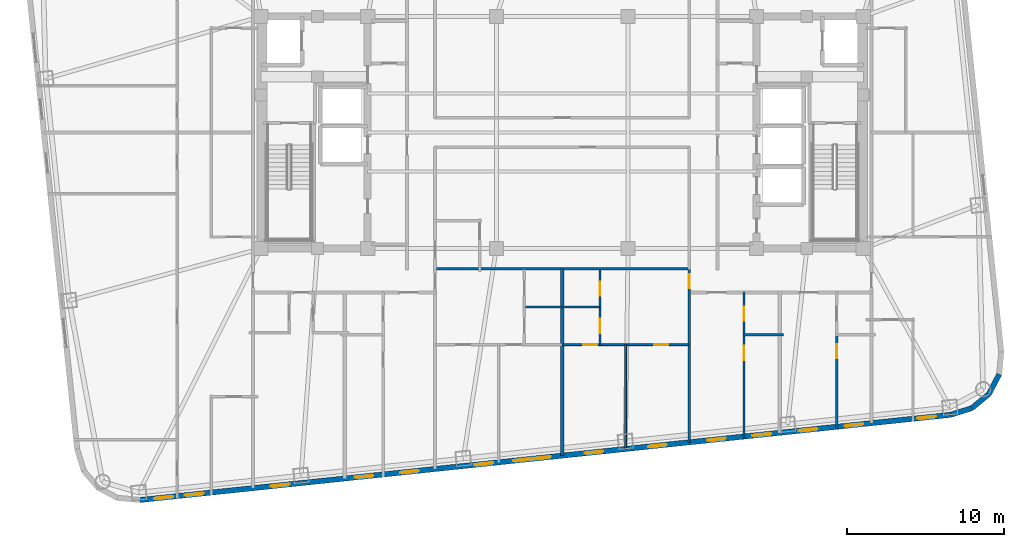
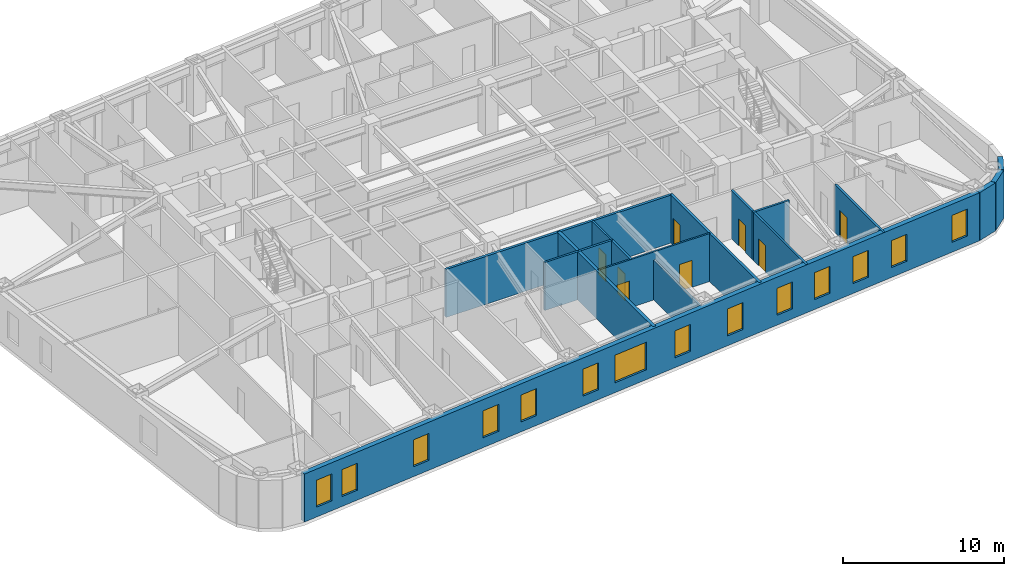
# One storey, part 5 of 12: 17 walls, 14 windows, 8 doors, 22 openings.
"""IFC4 building model written with IfcOpenShell, lengths in metres."""

import ifcopenshell
import ifcopenshell.guid

model = None  # the IFC model being written
_history = None  # IfcOwnerHistory: only IFC2X3 demands one
_inside = {}  # id of a spatial element -> (the spatial element, [elements in it])
_under = {}  # id of a project, library or spatial element -> (it, [spatial elements below it])
_declared = {}  # id of a project -> (the project, [libraries it declares])
_typed = {}  # id of a type object -> (the type object, [elements of that type])
_made_of = {}  # id of a material, layer set ... -> (it, [elements and type objects made of it])


def new_model(schema):
    """Start an empty IFC model of exactly this schema.

    Asked for "IFC4X3", IfcOpenShell would pick the latest addendum, in which some entities
    have other attributes; the version numbers below select the first issue.
    IFC2X3 requires an IfcOwnerHistory on every rooted entity: one is made here for all.
    """
    global model, _history
    if schema == "IFC4X3":
        model = ifcopenshell.file(schema_version=(4, 3, 0, 0))
    else:
        model = ifcopenshell.file(schema=schema)
    _inside.clear()
    _under.clear()
    _declared.clear()
    _typed.clear()
    _made_of.clear()
    _history = None
    if model.schema == "IFC2X3":
        org = make("IfcOrganization", Name="unknown")
        user = make(
            "IfcPersonAndOrganization",
            ThePerson=make("IfcPerson", FamilyName="unknown"),
            TheOrganization=org,
        )
        app = make(
            "IfcApplication",
            ApplicationDeveloper=org,
            Version="unknown",
            ApplicationFullName="unknown",
            ApplicationIdentifier="unknown",
        )
        _history = make(
            "IfcOwnerHistory",
            OwningUser=user,
            OwningApplication=app,
            ChangeAction="ADDED",
            CreationDate=0,
        )
    return model


def make(cls, **values):
    """One entity of the class cls with the attributes given. An attribute that is None is left unset."""
    return model.create_entity(
        cls, **{name: value for name, value in values.items() if value is not None}
    )


def rooted(cls, **values):
    """An entity with a GlobalId (a new one), such as an element, a storey or a relation."""
    return make(cls, GlobalId=ifcopenshell.guid.new(), OwnerHistory=_history, **values)


def si_unit(unit_type, name, prefix=None):
    """IfcSIUnit, for example si_unit("LENGTHUNIT", "METRE", prefix="MILLI")."""
    return make("IfcSIUnit", UnitType=unit_type, Prefix=prefix, Name=name)


def assignment(units):
    """IfcUnitAssignment: the units of a project."""
    return None if units is None else make("IfcUnitAssignment", Units=units)


def point(xyz):
    """IfcCartesianPoint."""
    return None if xyz is None else make("IfcCartesianPoint", Coordinates=xyz)


def direction(xyz):
    """IfcDirection."""
    return None if xyz is None else make("IfcDirection", DirectionRatios=xyz)


def frame(location, z_axis=None, x_axis=None):
    """IfcAxis2Placement3D, a coordinate frame: its origin and axes. An axis left out is left unset."""
    return make(
        "IfcAxis2Placement3D",
        Location=point(location),
        Axis=direction(z_axis),
        RefDirection=direction(x_axis),
    )


def frame_2d(location, x_axis=None):
    """IfcAxis2Placement2D, a coordinate frame in the plane: its origin and x axis."""
    return make(
        "IfcAxis2Placement2D", Location=point(location), RefDirection=direction(x_axis)
    )


def origin():
    """The frame at (0, 0, 0) with its axes left unset."""
    return frame((0.0, 0.0, 0.0))


def place(relative_to, where):
    """IfcLocalPlacement: puts the frame where relative to a parent placement (None: the world)."""
    return make(
        "IfcLocalPlacement", PlacementRelTo=relative_to, RelativePlacement=where
    )


def context(
    kind, dimensions, precision=None, world=None, true_north=None, identifier=None
):
    """IfcGeometricRepresentationContext, for example the 3D "Model" context."""
    return make(
        "IfcGeometricRepresentationContext",
        ContextIdentifier=identifier,
        ContextType=kind,
        CoordinateSpaceDimension=dimensions,
        Precision=precision,
        WorldCoordinateSystem=world,
        TrueNorth=true_north,
    )


def subcontext(parent, identifier, kind, view, scale=None):
    """IfcGeometricRepresentationSubContext, for example "Body" below "Model"."""
    return make(
        "IfcGeometricRepresentationSubContext",
        ContextIdentifier=identifier,
        ContextType=kind,
        ParentContext=parent,
        TargetScale=scale,
        TargetView=view,
    )


def project(units=None, contexts=None):
    """IfcProject with its units and contexts."""
    return rooted(
        "IfcProject",
        Name="project",
        RepresentationContexts=contexts,
        UnitsInContext=assignment(units),
    )


def spatial(cls, under=None, at=None, **own):
    """A site, building, storey or space (cls), placed at a placement, below another one or the project."""
    s = rooted(cls, ObjectPlacement=at, **own)
    if under is not None:
        _under.setdefault(under.id(), (under, []))[1].append(s)
    return s


def profile(cls, at=None, kind="AREA", **sizes):
    """A parametric profile (cls). Its sizes go by their IFC names, for example OverallWidth=200.0."""
    return make(cls, ProfileType=kind, Position=at, **sizes)


def rectangle(**sizes):
    """IfcRectangleProfileDef."""
    return profile("IfcRectangleProfileDef", **sizes)


def extrude(swept, where, along, depth):
    """IfcExtrudedAreaSolid: the profile swept, set in the frame where, extruded along a direction by depth."""
    return make(
        "IfcExtrudedAreaSolid",
        SweptArea=swept,
        Position=where,
        ExtrudedDirection=direction(along),
        Depth=depth,
    )


def shape(context_of_items, identifier, shape_type, items):
    """IfcShapeRepresentation: the items that make up one representation, for example the "Body"."""
    return make(
        "IfcShapeRepresentation",
        ContextOfItems=context_of_items,
        RepresentationIdentifier=identifier,
        RepresentationType=shape_type,
        Items=items,
    )


def material(Name=None, Category=None):
    """IfcMaterial."""
    return make("IfcMaterial", Name=Name, Category=Category)


def layer(
    of_material, thickness, ventilated=None, Name=None, Category=None, Priority=None
):
    """IfcMaterialLayer: one layer of a wall or slab, of a material (None: an air gap)."""
    return make(
        "IfcMaterialLayer",
        Material=of_material,
        LayerThickness=thickness,
        IsVentilated=ventilated,
        Name=Name,
        Category=Category,
        Priority=Priority,
    )


def layer_set(layers, Name=None):
    """IfcMaterialLayerSet."""
    return make("IfcMaterialLayerSet", MaterialLayers=layers, LayerSetName=Name)


def made_of(thing, what):
    """Note that an element or type object is made of a material, layer set ...; save() writes the relation."""
    if what is not None:
        _made_of.setdefault(what.id(), (what, []))[1].append(thing)
    return thing


def type_object(cls, material=None, **own):
    """A type object (cls), such as IfcWallType, which elements share."""
    return made_of(rooted(cls, **own), material)


def element(
    cls,
    number,
    at=None,
    inside=None,
    cuts=None,
    type_object=None,
    material=None,
    context=None,
    identifier="Body",
    shape_type=None,
    held_by="IfcProductDefinitionShape",
    body=None,
    shapes=None,
    **own,
):
    """One element of the class cls, such as IfcWall. Its Tag is "e" and its number.

    at: its placement. inside: the storey or other place that contains it. cuts: it is an
    opening in that element (IfcRelVoidsElement). A single representation is given by context,
    identifier, shape_type and body (its items); several are given by shapes. held_by: the class
    of the entity that holds the representations. save() writes the other relations.
    """
    e = rooted(cls, Tag="e%d" % number, ObjectPlacement=at, **own)
    if body is not None:
        shapes = [shape(context, identifier, shape_type, body)]
    if shapes is not None:
        e.Representation = make(held_by, Representations=shapes)
    if inside is not None:
        _inside.setdefault(inside.id(), (inside, []))[1].append(e)
    if cuts is not None:
        rooted(
            "IfcRelVoidsElement", RelatingBuildingElement=cuts, RelatedOpeningElement=e
        )
    if type_object is not None:
        _typed.setdefault(type_object.id(), (type_object, []))[1].append(e)
    return made_of(e, material)


def fill(opening, filler):
    """IfcRelFillsElement: the door or window that sits in an opening."""
    return rooted(
        "IfcRelFillsElement",
        RelatingOpeningElement=opening,
        RelatedBuildingElement=filler,
    )


def aggregate(whole, parts):
    """IfcRelAggregates: a whole, such as a stair, and the parts it consists of."""
    return rooted("IfcRelAggregates", RelatingObject=whole, RelatedObjects=parts)


def save(model, path):
    """Write the relations noted so far, then the file.

    IfcRelAggregates (storeys below a building ...), IfcRelContainedInSpatialStructure (elements
    in a storey), IfcRelDefinesByType, IfcRelAssociatesMaterial and IfcRelDeclares: one each for
    every whole, place, type object, material and project.
    """
    for whole, parts in _under.values():
        aggregate(whole, parts)
    for where, things in _inside.values():
        rooted(
            "IfcRelContainedInSpatialStructure",
            RelatedElements=things,
            RelatingStructure=where,
        )
    for kind, things in _typed.values():
        rooted("IfcRelDefinesByType", RelatedObjects=things, RelatingType=kind)
    for what, things in _made_of.values():
        rooted("IfcRelAssociatesMaterial", RelatedObjects=things, RelatingMaterial=what)
    for by, libraries in _declared.values():
        rooted("IfcRelDeclares", RelatingContext=by, RelatedDefinitions=libraries)
    model.write(path)


model = new_model("IFC4")

# Units and contexts
model_context = context("Model", 3, precision=1e-05, world=origin(), true_north=direction((0.0, 1.0)))
body_context = subcontext(model_context, "Body", "Model", "MODEL_VIEW")
ifc_project = project(units=[si_unit("LENGTHUNIT", "METRE"), si_unit("AREAUNIT", "SQUARE_METRE"), si_unit("VOLUMEUNIT", "CUBIC_METRE"), si_unit("PLANEANGLEUNIT", "RADIAN"), si_unit("MASSUNIT", "GRAM", prefix="KILO")], contexts=[model_context])

# Site, building, storey
site_placement = place(None, origin())
site = spatial("IfcSite", under=ifc_project, at=site_placement, CompositionType="ELEMENT")
building_placement = place(site_placement, origin())
building = spatial("IfcBuilding", under=site, at=building_placement, Name="Voryun Gate Residences", CompositionType="ELEMENT")
storey_placement = place(building_placement, frame((0.0, 0.0, 187.199951171875)))
storey = spatial("IfcBuildingStorey", under=building, at=storey_placement, Name="L46", CompositionType="ELEMENT", Elevation=187.199951171875)

# Wall
ifc_material_1 = material(Name="Gypsum acoustic fireboard")
ifc_layer_1 = layer(ifc_material_1, 0.179931640625, Name="W_CORR_RATED_180")
ifc_layer_set_1 = layer_set([ifc_layer_1], Name="Gypsum acoustic fireboard")
wall_type_1 = type_object("IfcWallType", Name="W_CORR_RATED_180", PredefinedType="PARTITIONING", material=ifc_layer_set_1)
wall_1_placement = place(storey_placement, frame((-8.14990234375, -8.68994140625, 0.0), z_axis=(0.0, 0.0, 1.0), x_axis=(1.0, 0.0, 0.0)))
element("IfcWall", 1, at=wall_1_placement, inside=storey, type_object=wall_type_1, Name="Partition wall WP-L46-Z2S", PredefinedType="PARTITIONING", context=body_context, shape_type="SweptSolid", body=[
    extrude(rectangle(XDim=16.2998046875, YDim=0.179931640625, at=frame_2d((8.14990234375, 0.0))), origin(), (0.0, 0.0, 1.0), 3.650146484375),
])

# Wall, opening, door
wall_2_placement = place(storey_placement, frame((8.10009765625, -19.75390625, 0.0), z_axis=(0.0, 0.0, 1.0), x_axis=(0.0, 1.0, 0.0)))
wall_2 = element("IfcWall", 2, at=wall_2_placement, inside=storey, type_object=wall_type_1, Name="Partition wall WP-L46-SZV-2", PredefinedType="PARTITIONING", context=body_context, shape_type="SweptSolid", body=[
    extrude(rectangle(XDim=11.06396484375, YDim=0.179931640625, at=frame_2d((5.531982421875, 0.0))), origin(), (0.0, 0.0, 1.0), 3.650146484375),
])
opening_1_placement = place(wall_2_placement, frame((9.81396484375, 0.0, 0.0)))
opening_1 = element("IfcOpeningElement", 3, at=opening_1_placement, cuts=wall_2, Name="Opening D-INT-2", PredefinedType="OPENING", context=body_context, shape_type="SweptSolid", body=[
    extrude(rectangle(XDim=0.89990234375, YDim=2.050048828125, at=frame_2d((0.449951171875, 1.02490234375))), frame((0.0, 0.099853515625, 0.0), z_axis=(0.0, -1.0, 0.0), x_axis=(1.0, 0.0, 0.0)), (0.0, 0.0, 1.0), 0.199951171875),
])
ifc_material_2 = material(Name="Architectural oak veneer")
door_type = type_object("IfcDoorType", Name="DR_INT_BATH_900", OperationType="NOTDEFINED", PredefinedType="DOOR", material=ifc_material_2)
door_1_placement = place(opening_1_placement, origin())
door_1 = element("IfcDoor", 4, at=door_1_placement, inside=storey, type_object=door_type, Name="Door DR-L46-SZENT-2", OperationType="SINGLE_SWING_RIGHT", OverallHeight=2.050048828125, OverallWidth=0.89990234375, PredefinedType="DOOR", context=body_context, shape_type="SweptSolid", body=[
    extrude(rectangle(XDim=0.89990234375, YDim=2.050048828125, at=frame_2d((0.449951171875, 1.02490234375))), frame((0.0, 0.02490234375, 0.0), z_axis=(0.0, -1.0, 0.0), x_axis=(1.0, 0.0, 0.0)), (0.0, 0.0, 1.0), 0.050048828125),
])
fill(opening_1, door_1)

# Wall, openings, windows
ifc_material_3 = material(Name="Charcoal terracotta masonry", Category="masonry")
ifc_layer_2 = layer(ifc_material_3, 0.340087890625, Name="W_EXT_TERRACOTTA_340")
ifc_layer_set_2 = layer_set([ifc_layer_2], Name="Charcoal terracotta masonry")
wall_type_2 = type_object("IfcWallType", Name="W_EXT_TERRACOTTA_340", PredefinedType="ELEMENTEDWALL", material=ifc_layer_set_2)
wall_3_placement = place(storey_placement, frame((24.755615234375, -18.003173828125, 0.0), z_axis=(0.0, 0.0, 1.0), x_axis=(-0.99452160744, -0.104531202687, 0.0)))
wall_3 = element("IfcWall", 5, at=wall_3_placement, inside=storey, type_object=wall_type_2, Name="Exterior wall WEXT-L46-01", PredefinedType="ELEMENTEDWALL", context=body_context, shape_type="SweptSolid", body=[
    extrude(rectangle(XDim=51.966552734375, YDim=0.340087890625, at=frame_2d((25.9833984375, 0.0))), origin(), (0.0, 0.0, 1.0), 3.650146484375),
])
opening_2_placement = place(wall_3_placement, frame((25.63330078125, 0.0, 0.75)))
opening_2 = element("IfcOpeningElement", 6, at=opening_2_placement, cuts=wall_3, Name="Opening WN2", PredefinedType="OPENING", context=body_context, shape_type="SweptSolid", body=[
    extrude(rectangle(XDim=2.39990234375, YDim=2.10009765625, at=frame_2d((1.199951171875, 1.050048828125))), frame((0.0, 0.179931640625, 0.0), z_axis=(0.0, -1.0, 0.0), x_axis=(1.0, 0.0, 0.0)), (0.0, 0.0, 1.0), 0.360107421875),
])
opening_3_placement = place(wall_3_placement, frame((42.369384765625, 0.0, 0.75)))
opening_3 = element("IfcOpeningElement", 7, at=opening_3_placement, cuts=wall_3, Name="Opening WN6", PredefinedType="OPENING", context=body_context, shape_type="SweptSolid", body=[
    extrude(rectangle(XDim=1.199951171875, YDim=2.050048828125, at=frame_2d((0.60009765625, 1.02490234375))), frame((0.0, 0.179931640625, 0.0), z_axis=(0.0, -1.0, 0.0), x_axis=(1.0, 0.0, 0.0)), (0.0, 0.0, 1.0), 0.360107421875),
])
opening_4_placement = place(wall_3_placement, frame((34.084716796875, 0.0, 0.75)))
opening_4 = element("IfcOpeningElement", 8, at=opening_4_placement, cuts=wall_3, Name="Opening WN6", PredefinedType="OPENING", context=body_context, shape_type="SweptSolid", body=[
    extrude(rectangle(XDim=1.199951171875, YDim=2.050048828125, at=frame_2d((0.60009765625, 1.02490234375))), frame((0.0, 0.179931640625, 0.0), z_axis=(0.0, -1.0, 0.0), x_axis=(1.0, 0.0, 0.0)), (0.0, 0.0, 1.0), 0.360107421875),
])
opening_5_placement = place(wall_3_placement, frame((36.9931640625, 0.0, 0.75)))
opening_5 = element("IfcOpeningElement", 9, at=opening_5_placement, cuts=wall_3, Name="Opening WN6", PredefinedType="OPENING", context=body_context, shape_type="SweptSolid", body=[
    extrude(rectangle(XDim=1.199951171875, YDim=2.050048828125, at=frame_2d((0.60009765625, 1.02490234375))), frame((0.0, 0.179931640625, 0.0), z_axis=(0.0, -1.0, 0.0), x_axis=(1.0, 0.0, 0.0)), (0.0, 0.0, 1.0), 0.360107421875),
])
opening_6_placement = place(wall_3_placement, frame((14.3974609375, 0.0, 0.75)))
opening_6 = element("IfcOpeningElement", 10, at=opening_6_placement, cuts=wall_3, Name="Opening WN6", PredefinedType="OPENING", context=body_context, shape_type="SweptSolid", body=[
    extrude(rectangle(XDim=1.199951171875, YDim=2.050048828125, at=frame_2d((0.60009765625, 1.02490234375))), frame((0.0, 0.179931640625, 0.0), z_axis=(0.0, -1.0, 0.0), x_axis=(1.0, 0.0, 0.0)), (0.0, 0.0, 1.0), 0.360107421875),
])
opening_7_placement = place(wall_3_placement, frame((11.489013671875, 0.0, 0.75)))
opening_7 = element("IfcOpeningElement", 11, at=opening_7_placement, cuts=wall_3, Name="Opening WN6", PredefinedType="OPENING", context=body_context, shape_type="SweptSolid", body=[
    extrude(rectangle(XDim=1.199951171875, YDim=2.050048828125, at=frame_2d((0.60009765625, 1.02490234375))), frame((0.0, 0.179931640625, 0.0), z_axis=(0.0, -1.0, 0.0), x_axis=(1.0, 0.0, 0.0)), (0.0, 0.0, 1.0), 0.360107421875),
])
opening_8_placement = place(wall_3_placement, frame((8.520751953125, 0.0, 0.75)))
opening_8 = element("IfcOpeningElement", 12, at=opening_8_placement, cuts=wall_3, Name="Opening WN6", PredefinedType="OPENING", context=body_context, shape_type="SweptSolid", body=[
    extrude(rectangle(XDim=1.199951171875, YDim=2.050048828125, at=frame_2d((0.60009765625, 1.02490234375))), frame((0.0, 0.179931640625, 0.0), z_axis=(0.0, -1.0, 0.0), x_axis=(1.0, 0.0, 0.0)), (0.0, 0.0, 1.0), 0.360107421875),
])
opening_9_placement = place(wall_3_placement, frame((5.58203125, 0.0, 0.75)))
opening_9 = element("IfcOpeningElement", 13, at=opening_9_placement, cuts=wall_3, Name="Opening WN6", PredefinedType="OPENING", context=body_context, shape_type="SweptSolid", body=[
    extrude(rectangle(XDim=1.199951171875, YDim=2.050048828125, at=frame_2d((0.60009765625, 1.02490234375))), frame((0.0, 0.179931640625, 0.0), z_axis=(0.0, -1.0, 0.0), x_axis=(1.0, 0.0, 0.0)), (0.0, 0.0, 1.0), 0.360107421875),
])
opening_10_placement = place(wall_3_placement, frame((29.31298828125, 0.0, 0.75)))
opening_10 = element("IfcOpeningElement", 14, at=opening_10_placement, cuts=wall_3, Name="Opening WN6", PredefinedType="OPENING", context=body_context, shape_type="SweptSolid", body=[
    extrude(rectangle(XDim=1.199951171875, YDim=2.050048828125, at=frame_2d((0.60009765625, 1.02490234375))), frame((0.0, 0.179931640625, 0.0), z_axis=(0.0, -1.0, 0.0), x_axis=(1.0, 0.0, 0.0)), (0.0, 0.0, 1.0), 0.360107421875),
])
opening_11_placement = place(wall_3_placement, frame((22.248291015625, 0.0, 0.75)))
opening_11 = element("IfcOpeningElement", 15, at=opening_11_placement, cuts=wall_3, Name="Opening WN6", PredefinedType="OPENING", context=body_context, shape_type="SweptSolid", body=[
    extrude(rectangle(XDim=1.199951171875, YDim=2.050048828125, at=frame_2d((0.60009765625, 1.02490234375))), frame((0.0, 0.179931640625, 0.0), z_axis=(0.0, -1.0, 0.0), x_axis=(1.0, 0.0, 0.0)), (0.0, 0.0, 1.0), 0.360107421875),
])
opening_12_placement = place(wall_3_placement, frame((18.18603515625, 0.0, 0.75)))
opening_12 = element("IfcOpeningElement", 16, at=opening_12_placement, cuts=wall_3, Name="Opening WN6", PredefinedType="OPENING", context=body_context, shape_type="SweptSolid", body=[
    extrude(rectangle(XDim=1.199951171875, YDim=2.050048828125, at=frame_2d((0.60009765625, 1.02490234375))), frame((0.0, 0.179931640625, 0.0), z_axis=(0.0, -1.0, 0.0), x_axis=(1.0, 0.0, 0.0)), (0.0, 0.0, 1.0), 0.360107421875),
])
opening_13_placement = place(wall_3_placement, frame((47.87890625, 0.0, 0.75)))
opening_13 = element("IfcOpeningElement", 17, at=opening_13_placement, cuts=wall_3, Name="Opening WN6", PredefinedType="OPENING", context=body_context, shape_type="SweptSolid", body=[
    extrude(rectangle(XDim=1.199951171875, YDim=2.050048828125, at=frame_2d((0.60009765625, 1.02490234375))), frame((0.0, 0.179931640625, 0.0), z_axis=(0.0, -1.0, 0.0), x_axis=(1.0, 0.0, 0.0)), (0.0, 0.0, 1.0), 0.360107421875),
])
opening_14_placement = place(wall_3_placement, frame((49.84423828125, 0.0, 0.75)))
opening_14 = element("IfcOpeningElement", 18, at=opening_14_placement, cuts=wall_3, Name="Opening WN6", PredefinedType="OPENING", context=body_context, shape_type="SweptSolid", body=[
    extrude(rectangle(XDim=1.199951171875, YDim=2.050048828125, at=frame_2d((0.60009765625, 1.02490234375))), frame((0.0, 0.179931640625, 0.0), z_axis=(0.0, -1.0, 0.0), x_axis=(1.0, 0.0, 0.0)), (0.0, 0.0, 1.0), 0.360107421875),
])
opening_15_placement = place(wall_3_placement, frame((0.924560546875, 0.0, 0.75)))
opening_15 = element("IfcOpeningElement", 19, at=opening_15_placement, cuts=wall_3, Name="Opening WN6", PredefinedType="OPENING", context=body_context, shape_type="SweptSolid", body=[
    extrude(rectangle(XDim=1.199951171875, YDim=2.050048828125, at=frame_2d((0.60009765625, 1.02490234375))), frame((0.0, 0.179931640625, 0.0), z_axis=(0.0, -1.0, 0.0), x_axis=(1.0, 0.0, 0.0)), (0.0, 0.0, 1.0), 0.360107421875),
])
ifc_material_4 = material(Name="Laminated low-E glass", Category="glass")
window_type_1 = type_object("IfcWindowType", Name="WN_POD_SLOT_1200", PartitioningType="SINGLE_PANEL", PredefinedType="WINDOW", material=ifc_material_4)
window_1_placement = place(opening_3_placement, origin())
window_1 = element("IfcWindow", 20, at=window_1_placement, inside=storey, type_object=window_type_1, Name="Window WN-L46-DWFIX-10", OverallHeight=2.050048828125, OverallWidth=1.199951171875, PartitioningType="SINGLE_PANEL", PredefinedType="WINDOW", context=body_context, shape_type="SweptSolid", body=[
    extrude(rectangle(XDim=1.199951171875, YDim=2.050048828125, at=frame_2d((0.60009765625, 1.02490234375))), frame((0.0, 0.030029296875, 0.0), z_axis=(0.0, -1.0, 0.0), x_axis=(1.0, 0.0, 0.0)), (0.0, 0.0, 1.0), 0.06005859375),
])
fill(opening_3, window_1)
window_2_placement = place(opening_4_placement, origin())
window_2 = element("IfcWindow", 21, at=window_2_placement, inside=storey, type_object=window_type_1, Name="Window WN-L46-DWFIX-11", OverallHeight=2.050048828125, OverallWidth=1.199951171875, PartitioningType="SINGLE_PANEL", PredefinedType="WINDOW", context=body_context, shape_type="SweptSolid", body=[
    extrude(rectangle(XDim=1.199951171875, YDim=2.050048828125, at=frame_2d((0.60009765625, 1.02490234375))), frame((0.0, 0.030029296875, 0.0), z_axis=(0.0, -1.0, 0.0), x_axis=(1.0, 0.0, 0.0)), (0.0, 0.0, 1.0), 0.06005859375),
])
fill(opening_4, window_2)
window_3_placement = place(opening_5_placement, origin())
window_3 = element("IfcWindow", 22, at=window_3_placement, inside=storey, type_object=window_type_1, Name="Window WN-L46-DWFIX-12", OverallHeight=2.050048828125, OverallWidth=1.199951171875, PartitioningType="SINGLE_PANEL", PredefinedType="WINDOW", context=body_context, shape_type="SweptSolid", body=[
    extrude(rectangle(XDim=1.199951171875, YDim=2.050048828125, at=frame_2d((0.60009765625, 1.02490234375))), frame((0.0, 0.030029296875, 0.0), z_axis=(0.0, -1.0, 0.0), x_axis=(1.0, 0.0, 0.0)), (0.0, 0.0, 1.0), 0.06005859375),
])
fill(opening_5, window_3)
window_4_placement = place(opening_6_placement, origin())
window_4 = element("IfcWindow", 23, at=window_4_placement, inside=storey, type_object=window_type_1, Name="Window WN-L46-DWFIX-13", OverallHeight=2.050048828125, OverallWidth=1.199951171875, PartitioningType="SINGLE_PANEL", PredefinedType="WINDOW", context=body_context, shape_type="SweptSolid", body=[
    extrude(rectangle(XDim=1.199951171875, YDim=2.050048828125, at=frame_2d((0.60009765625, 1.02490234375))), frame((0.0, 0.030029296875, 0.0), z_axis=(0.0, -1.0, 0.0), x_axis=(1.0, 0.0, 0.0)), (0.0, 0.0, 1.0), 0.06005859375),
])
fill(opening_6, window_4)
window_5_placement = place(opening_7_placement, origin())
window_5 = element("IfcWindow", 24, at=window_5_placement, inside=storey, type_object=window_type_1, Name="Window WN-L46-DWFIX-14", OverallHeight=2.050048828125, OverallWidth=1.199951171875, PartitioningType="SINGLE_PANEL", PredefinedType="WINDOW", context=body_context, shape_type="SweptSolid", body=[
    extrude(rectangle(XDim=1.199951171875, YDim=2.050048828125, at=frame_2d((0.60009765625, 1.02490234375))), frame((0.0, 0.030029296875, 0.0), z_axis=(0.0, -1.0, 0.0), x_axis=(1.0, 0.0, 0.0)), (0.0, 0.0, 1.0), 0.06005859375),
])
fill(opening_7, window_5)
window_6_placement = place(opening_8_placement, origin())
window_6 = element("IfcWindow", 25, at=window_6_placement, inside=storey, type_object=window_type_1, Name="Window WN-L46-DWFIX-15", OverallHeight=2.050048828125, OverallWidth=1.199951171875, PartitioningType="SINGLE_PANEL", PredefinedType="WINDOW", context=body_context, shape_type="SweptSolid", body=[
    extrude(rectangle(XDim=1.199951171875, YDim=2.050048828125, at=frame_2d((0.60009765625, 1.02490234375))), frame((0.0, 0.030029296875, 0.0), z_axis=(0.0, -1.0, 0.0), x_axis=(1.0, 0.0, 0.0)), (0.0, 0.0, 1.0), 0.06005859375),
])
fill(opening_8, window_6)
window_7_placement = place(opening_9_placement, origin())
window_7 = element("IfcWindow", 26, at=window_7_placement, inside=storey, type_object=window_type_1, Name="Window WN-L46-DWFIX-16", OverallHeight=2.050048828125, OverallWidth=1.199951171875, PartitioningType="SINGLE_PANEL", PredefinedType="WINDOW", context=body_context, shape_type="SweptSolid", body=[
    extrude(rectangle(XDim=1.199951171875, YDim=2.050048828125, at=frame_2d((0.60009765625, 1.02490234375))), frame((0.0, 0.030029296875, 0.0), z_axis=(0.0, -1.0, 0.0), x_axis=(1.0, 0.0, 0.0)), (0.0, 0.0, 1.0), 0.06005859375),
])
fill(opening_9, window_7)
window_8_placement = place(opening_10_placement, origin())
window_8 = element("IfcWindow", 27, at=window_8_placement, inside=storey, type_object=window_type_1, Name="Window WN-L46-DWFIX-17", OverallHeight=2.050048828125, OverallWidth=1.199951171875, PartitioningType="SINGLE_PANEL", PredefinedType="WINDOW", context=body_context, shape_type="SweptSolid", body=[
    extrude(rectangle(XDim=1.199951171875, YDim=2.050048828125, at=frame_2d((0.60009765625, 1.02490234375))), frame((0.0, 0.030029296875, 0.0), z_axis=(0.0, -1.0, 0.0), x_axis=(1.0, 0.0, 0.0)), (0.0, 0.0, 1.0), 0.06005859375),
])
fill(opening_10, window_8)
window_9_placement = place(opening_11_placement, origin())
window_9 = element("IfcWindow", 28, at=window_9_placement, inside=storey, type_object=window_type_1, Name="Window WN-L46-DWFIX-18", OverallHeight=2.050048828125, OverallWidth=1.199951171875, PartitioningType="SINGLE_PANEL", PredefinedType="WINDOW", context=body_context, shape_type="SweptSolid", body=[
    extrude(rectangle(XDim=1.199951171875, YDim=2.050048828125, at=frame_2d((0.60009765625, 1.02490234375))), frame((0.0, 0.030029296875, 0.0), z_axis=(0.0, -1.0, 0.0), x_axis=(1.0, 0.0, 0.0)), (0.0, 0.0, 1.0), 0.06005859375),
])
fill(opening_11, window_9)
window_10_placement = place(opening_12_placement, origin())
window_10 = element("IfcWindow", 29, at=window_10_placement, inside=storey, type_object=window_type_1, Name="Window WN-L46-DWFIX-19", OverallHeight=2.050048828125, OverallWidth=1.199951171875, PartitioningType="SINGLE_PANEL", PredefinedType="WINDOW", context=body_context, shape_type="SweptSolid", body=[
    extrude(rectangle(XDim=1.199951171875, YDim=2.050048828125, at=frame_2d((0.60009765625, 1.02490234375))), frame((0.0, 0.030029296875, 0.0), z_axis=(0.0, -1.0, 0.0), x_axis=(1.0, 0.0, 0.0)), (0.0, 0.0, 1.0), 0.06005859375),
])
fill(opening_12, window_10)
window_11_placement = place(opening_13_placement, origin())
window_11 = element("IfcWindow", 30, at=window_11_placement, inside=storey, type_object=window_type_1, Name="Window WN-L46-DWFIX-20", OverallHeight=2.050048828125, OverallWidth=1.199951171875, PartitioningType="SINGLE_PANEL", PredefinedType="WINDOW", context=body_context, shape_type="SweptSolid", body=[
    extrude(rectangle(XDim=1.199951171875, YDim=2.050048828125, at=frame_2d((0.60009765625, 1.02490234375))), frame((0.0, 0.030029296875, 0.0), z_axis=(0.0, -1.0, 0.0), x_axis=(1.0, 0.0, 0.0)), (0.0, 0.0, 1.0), 0.06005859375),
])
fill(opening_13, window_11)
window_12_placement = place(opening_14_placement, origin())
window_12 = element("IfcWindow", 31, at=window_12_placement, inside=storey, type_object=window_type_1, Name="Window WN-L46-DWFIX-22", OverallHeight=2.050048828125, OverallWidth=1.199951171875, PartitioningType="SINGLE_PANEL", PredefinedType="WINDOW", context=body_context, shape_type="SweptSolid", body=[
    extrude(rectangle(XDim=1.199951171875, YDim=2.050048828125, at=frame_2d((0.60009765625, 1.02490234375))), frame((0.0, 0.030029296875, 0.0), z_axis=(0.0, -1.0, 0.0), x_axis=(1.0, 0.0, 0.0)), (0.0, 0.0, 1.0), 0.06005859375),
])
fill(opening_14, window_12)
window_13_placement = place(opening_15_placement, origin())
window_13 = element("IfcWindow", 32, at=window_13_placement, inside=storey, type_object=window_type_1, Name="Window WN-L46-DWFIX-26", OverallHeight=2.050048828125, OverallWidth=1.199951171875, PartitioningType="SINGLE_PANEL", PredefinedType="WINDOW", context=body_context, shape_type="SweptSolid", body=[
    extrude(rectangle(XDim=1.199951171875, YDim=2.050048828125, at=frame_2d((0.60009765625, 1.02490234375))), frame((0.0, 0.030029296875, 0.0), z_axis=(0.0, -1.0, 0.0), x_axis=(1.0, 0.0, 0.0)), (0.0, 0.0, 1.0), 0.06005859375),
])
fill(opening_15, window_13)
ifc_material_5 = material(Name="Laminated low-E glass", Category="glass")
window_type_2 = type_object("IfcWindowType", Name="WN_RES_WIDE_2400", PartitioningType="SINGLE_PANEL", PredefinedType="WINDOW", material=ifc_material_5)
window_14_placement = place(opening_2_placement, origin())
window_14 = element("IfcWindow", 33, at=window_14_placement, inside=storey, type_object=window_type_2, Name="Window WN-WEXT-L46-01-02", OverallHeight=2.10009765625, OverallWidth=2.39990234375, PartitioningType="SINGLE_PANEL", PredefinedType="WINDOW", context=body_context, shape_type="SweptSolid", body=[
    extrude(rectangle(XDim=2.39990234375, YDim=2.10009765625, at=frame_2d((1.199951171875, 1.050048828125))), frame((0.0, 0.030029296875, 0.0), z_axis=(0.0, -1.0, 0.0), x_axis=(1.0, 0.0, 0.0)), (0.0, 0.0, 1.0), 0.06005859375),
])
fill(opening_2, window_14)

# Walls
for number, where, z_axis, x_axis, name in (
    (34, (27.8701171875, -15.42138671875, 0.0), (0.0, 0.0, 1.0), (-0.465682431293, -0.884951904447, 0.0), "Exterior wall WEXT-L46-18"),
    (35, (27.211181640625, -16.673583984375, 0.0), (0.0, 0.0, 1.0), (-0.768758372808, -0.639539337522, 0.0), "Exterior wall WEXT-L46-19"),
):
    element("IfcWall", number, at=place(storey_placement, frame(where, z_axis=z_axis, x_axis=x_axis)), inside=storey, type_object=wall_type_2, Name=name, PredefinedType="ELEMENTEDWALL", context=body_context, shape_type="SweptSolid", body=[
        extrude(rectangle(XDim=1.4150390625, YDim=0.340087890625, at=frame_2d((0.70751953125, 0.0))), origin(), (0.0, 0.0, 1.0), 3.650146484375),
    ])
wall_4_placement = place(storey_placement, frame((26.123291015625, -17.57861328125, 0.0), z_axis=(0.0, 0.0, 1.0), x_axis=(-0.955042500381, -0.296468923271, 0.0)))
element("IfcWall", 36, at=wall_4_placement, inside=storey, type_object=wall_type_2, Name="Exterior wall WEXT-L46-20", PredefinedType="ELEMENTEDWALL", context=body_context, shape_type="SweptSolid", body=[
    extrude(rectangle(XDim=1.43212890625, YDim=0.340087890625, at=frame_2d((0.716064453125, 0.0))), origin(), (0.0, 0.0, 1.0), 3.650146484375),
])
ifc_material_6 = material(Name="Concrete C40/50", Category="concrete")
ifc_layer_3 = layer(ifc_material_6, 0.219970703125, Name="W_PARTY_ACOUSTIC_220")
ifc_layer_set_3 = layer_set([ifc_layer_3], Name="Concrete C40/50")
wall_type_3 = type_object("IfcWallType", Name="W_PARTY_ACOUSTIC_220", PredefinedType="PARTITIONING", material=ifc_layer_set_3)
wall_5_placement = place(storey_placement, frame((0.0, -20.60498046875, 0.0), z_axis=(0.0, 0.0, 1.0), x_axis=(0.0, 1.0, 0.0)))
element("IfcWall", 37, at=wall_5_placement, inside=storey, type_object=wall_type_3, Name="Partition wall WP-L46-SZMID", PredefinedType="PARTITIONING", context=body_context, shape_type="SweptSolid", body=[
    extrude(rectangle(XDim=11.9150390625, YDim=0.219970703125, at=frame_2d((5.95751953125, 0.0))), origin(), (0.0, 0.0, 1.0), 3.650146484375),
])

# Wall, openings, doors
ifc_material_7 = material(Name="Gypsum acoustic partition")
ifc_layer_4 = layer(ifc_material_7, 0.125, Name="W_UNIT_PART_125")
ifc_layer_set_4 = layer_set([ifc_layer_4], Name="Gypsum acoustic partition")
wall_type_4 = type_object("IfcWallType", Name="W_UNIT_PART_125", PredefinedType="PARTITIONING", material=ifc_layer_set_4)
wall_6_placement = place(storey_placement, frame((0.02001953125, -13.530029296875, 0.0), z_axis=(0.0, 0.0, 1.0), x_axis=(1.0, 0.0, 0.0)))
wall_6 = element("IfcWall", 38, at=wall_6_placement, inside=storey, type_object=wall_type_4, Name="Partition wall WP-L46-SC2-HZ", PredefinedType="PARTITIONING", context=body_context, shape_type="SweptSolid", body=[
    extrude(rectangle(XDim=8.06005859375, YDim=0.125, at=frame_2d((4.030029296875, 0.0))), origin(), (0.0, 0.0, 1.0), 3.650146484375),
])
opening_16_placement = place(wall_6_placement, frame((1.3232421875, 0.0, 0.0)))
opening_16 = element("IfcOpeningElement", 39, at=opening_16_placement, cuts=wall_6, Name="Opening D-INT-2", PredefinedType="OPENING", context=body_context, shape_type="SweptSolid", body=[
    extrude(rectangle(XDim=0.89990234375, YDim=2.050048828125, at=frame_2d((0.449951171875, 1.02490234375))), frame((0.0, 0.072509765625, 0.0), z_axis=(0.0, -1.0, 0.0), x_axis=(1.0, 0.0, 0.0)), (0.0, 0.0, 1.0), 0.14501953125),
])
opening_17_placement = place(wall_6_placement, frame((5.8369140625, 0.0, 0.0)))
opening_17 = element("IfcOpeningElement", 40, at=opening_17_placement, cuts=wall_6, Name="Opening D-INT-2", PredefinedType="OPENING", context=body_context, shape_type="SweptSolid", body=[
    extrude(rectangle(XDim=0.89990234375, YDim=2.050048828125, at=frame_2d((0.449951171875, 1.02490234375))), frame((0.0, 0.072509765625, 0.0), z_axis=(0.0, -1.0, 0.0), x_axis=(1.0, 0.0, 0.0)), (0.0, 0.0, 1.0), 0.14501953125),
])
door_2_placement = place(opening_16_placement, origin())
door_2 = element("IfcDoor", 41, at=door_2_placement, inside=storey, type_object=door_type, Name="Door DR-L46-SC2-DMB", OperationType="SINGLE_SWING_LEFT", OverallHeight=2.050048828125, OverallWidth=0.89990234375, PredefinedType="DOOR", context=body_context, shape_type="SweptSolid", body=[
    extrude(rectangle(XDim=0.89990234375, YDim=2.050048828125, at=frame_2d((0.449951171875, 1.02490234375))), frame((0.0, 0.02490234375, 0.0), z_axis=(0.0, -1.0, 0.0), x_axis=(1.0, 0.0, 0.0)), (0.0, 0.0, 1.0), 0.050048828125),
])
fill(opening_16, door_2)
door_3_placement = place(opening_17_placement, origin())
door_3 = element("IfcDoor", 42, at=door_3_placement, inside=storey, type_object=door_type, Name="Door DR-L46-SC2-DBD2", OperationType="SINGLE_SWING_RIGHT", OverallHeight=2.050048828125, OverallWidth=0.89990234375, PredefinedType="DOOR", context=body_context, shape_type="SweptSolid", body=[
    extrude(rectangle(XDim=0.89990234375, YDim=2.050048828125, at=frame_2d((0.449951171875, 1.02490234375))), frame((0.0, 0.02490234375, 0.0), z_axis=(0.0, -1.0, 0.0), x_axis=(1.0, 0.0, 0.0)), (0.0, 0.0, 1.0), 0.050048828125),
])
fill(opening_17, door_3)

# Wall, opening, door
wall_7_placement = place(storey_placement, frame((2.409912109375, -11.159912109375, 0.0), z_axis=(0.0, 0.0, 1.0), x_axis=(0.0, 1.0, 0.0)))
wall_7 = element("IfcWall", 43, at=wall_7_placement, inside=storey, type_object=wall_type_4, Name="Partition wall WP-L46-SC2-VK1", PredefinedType="PARTITIONING", context=body_context, shape_type="SweptSolid", body=[
    extrude(rectangle(XDim=2.409912109375, YDim=0.125, at=frame_2d((1.205078125, 0.0))), origin(), (0.0, 0.0, 1.0), 3.650146484375),
])
opening_18_placement = place(wall_7_placement, frame((0.7548828125, 0.0, 0.0)))
opening_18 = element("IfcOpeningElement", 44, at=opening_18_placement, cuts=wall_7, Name="Opening D-INT-2", PredefinedType="OPENING", context=body_context, shape_type="SweptSolid", body=[
    extrude(rectangle(XDim=0.89990234375, YDim=2.050048828125, at=frame_2d((0.449951171875, 1.02490234375))), frame((0.0, 0.072509765625, 0.0), z_axis=(0.0, -1.0, 0.0), x_axis=(1.0, 0.0, 0.0)), (0.0, 0.0, 1.0), 0.14501953125),
])
door_4_placement = place(opening_18_placement, origin())
door_4 = element("IfcDoor", 45, at=door_4_placement, inside=storey, type_object=door_type, Name="Door DR-L46-SC2-DK", OperationType="SINGLE_SWING_LEFT", OverallHeight=2.050048828125, OverallWidth=0.89990234375, PredefinedType="DOOR", context=body_context, shape_type="SweptSolid", body=[
    extrude(rectangle(XDim=0.89990234375, YDim=2.050048828125, at=frame_2d((0.449951171875, 1.02490234375))), frame((0.0, 0.02490234375, 0.0), z_axis=(0.0, -1.0, 0.0), x_axis=(1.0, 0.0, 0.0)), (0.0, 0.0, 1.0), 0.050048828125),
])
fill(opening_18, door_4)

# Walls
wall_8_placement = place(storey_placement, frame((4.050048828125, -20.179443359375, 0.0), z_axis=(0.0, 0.0, 1.0), x_axis=(0.0, 1.0, 0.0)))
element("IfcWall", 46, at=wall_8_placement, inside=storey, type_object=wall_type_4, Name="Partition wall WP-L46-SC2-VBD", PredefinedType="PARTITIONING", context=body_context, shape_type="SweptSolid", body=[
    extrude(rectangle(XDim=6.689453125, YDim=0.125, at=frame_2d((3.3447265625, 0.0))), origin(), (0.0, 0.0, 1.0), 3.0400390625),
])
ifc_material_8 = material(Name="Gypsum moisture-resistant partition")
ifc_layer_5 = layer(ifc_material_8, 0.14990234375, Name="W_WET_PLUMB_150")
ifc_layer_set_5 = layer_set([ifc_layer_5], Name="Gypsum moisture-resistant partition")
wall_type_5 = type_object("IfcWallType", Name="W_WET_PLUMB_150", PredefinedType="PLUMBINGWALL", material=ifc_layer_set_5)
wall_9_placement = place(storey_placement, frame((11.51611328125, -12.89990234375, 0.0), z_axis=(0.0, 0.0, 1.0), x_axis=(1.0, 0.0, 0.0)))
element("IfcWall", 47, at=wall_9_placement, inside=storey, type_object=wall_type_5, Name="Partition wall WP-L46-S4-SKB", PredefinedType="PLUMBINGWALL", context=body_context, shape_type="SweptSolid", body=[
    extrude(rectangle(XDim=2.60888671875, YDim=0.14990234375, at=frame_2d((1.304443359375, 0.0))), origin(), (0.0, 0.0, 1.0), 3.650146484375),
])

# Wall, opening, door
wall_10_placement = place(storey_placement, frame((11.595947265625, -19.537109375, 0.0), z_axis=(0.0, 0.0, 1.0), x_axis=(0.0, 1.0, 0.0)))
wall_10 = element("IfcWall", 48, at=wall_10_placement, inside=storey, type_object=wall_type_5, Name="Partition wall WP-L46-S4-SVT1", PredefinedType="PLUMBINGWALL", context=body_context, shape_type="SweptSolid", body=[
    extrude(rectangle(XDim=6.677001953125, YDim=0.14990234375, at=frame_2d((3.33837890625, 0.0))), origin(), (0.0, 0.0, 1.0), 3.650146484375),
])
opening_19_placement = place(wall_10_placement, frame((5.025146484375, 0.0, 0.0)))
opening_19 = element("IfcOpeningElement", 49, at=opening_19_placement, cuts=wall_10, Name="Opening D-INT-2", PredefinedType="OPENING", context=body_context, shape_type="SweptSolid", body=[
    extrude(rectangle(XDim=0.89990234375, YDim=2.050048828125, at=frame_2d((0.449951171875, 1.02490234375))), frame((0.0, 0.0849609375, 0.0), z_axis=(0.0, -1.0, 0.0), x_axis=(1.0, 0.0, 0.0)), (0.0, 0.0, 1.0), 0.169921875),
])
door_5_placement = place(opening_19_placement, origin())
door_5 = element("IfcDoor", 50, at=door_5_placement, inside=storey, type_object=door_type, Name="Door DR-L46-S4-DK", OperationType="SINGLE_SWING_LEFT", OverallHeight=2.050048828125, OverallWidth=0.89990234375, PredefinedType="DOOR", context=body_context, shape_type="SweptSolid", body=[
    extrude(rectangle(XDim=0.89990234375, YDim=2.050048828125, at=frame_2d((0.449951171875, 1.02490234375))), frame((0.0, 0.02490234375, 0.0), z_axis=(0.0, -1.0, 0.0), x_axis=(1.0, 0.0, 0.0)), (0.0, 0.0, 1.0), 0.050048828125),
])
fill(opening_19, door_5)

wall_11_placement = place(storey_placement, frame((11.595947265625, -12.93994140625, 0.0), z_axis=(0.0, 0.0, 1.0), x_axis=(0.0, 1.0, 0.0)))
wall_11 = element("IfcWall", 51, at=wall_11_placement, inside=storey, type_object=wall_type_5, Name="Partition wall WP-L46-S4-SVT2", PredefinedType="PLUMBINGWALL", context=body_context, shape_type="SweptSolid", body=[
    extrude(rectangle(XDim=2.760009765625, YDim=0.14990234375, at=frame_2d((1.3798828125, 0.0))), origin(), (0.0, 0.0, 1.0), 3.650146484375),
])
opening_20_placement = place(wall_11_placement, frame((0.929931640625, 0.0, 0.0)))
opening_20 = element("IfcOpeningElement", 52, at=opening_20_placement, cuts=wall_11, Name="Opening D-INT-2", PredefinedType="OPENING", context=body_context, shape_type="SweptSolid", body=[
    extrude(rectangle(XDim=0.89990234375, YDim=2.050048828125, at=frame_2d((0.449951171875, 1.02490234375))), frame((0.0, 0.0849609375, 0.0), z_axis=(0.0, -1.0, 0.0), x_axis=(1.0, 0.0, 0.0)), (0.0, 0.0, 1.0), 0.169921875),
])
door_6_placement = place(opening_20_placement, origin())
door_6 = element("IfcDoor", 53, at=door_6_placement, inside=storey, type_object=door_type, Name="Door DR-L46-S4-DB", OperationType="SINGLE_SWING_RIGHT", OverallHeight=2.050048828125, OverallWidth=0.89990234375, PredefinedType="DOOR", context=body_context, shape_type="SweptSolid", body=[
    extrude(rectangle(XDim=0.89990234375, YDim=2.050048828125, at=frame_2d((0.449951171875, 1.02490234375))), frame((0.0, 0.02490234375, 0.0), z_axis=(0.0, -1.0, 0.0), x_axis=(1.0, 0.0, 0.0)), (0.0, 0.0, 1.0), 0.050048828125),
])
fill(opening_20, door_6)

wall_12_placement = place(storey_placement, frame((17.5, -18.91650390625, 0.0), z_axis=(0.0, 0.0, 1.0), x_axis=(0.0, 1.0, 0.0)))
wall_12 = element("IfcWall", 54, at=wall_12_placement, inside=storey, type_object=wall_type_5, Name="Partition wall WP-L46-S5-SVT1", PredefinedType="PLUMBINGWALL", context=body_context, shape_type="SweptSolid", body=[
    extrude(rectangle(XDim=6.056396484375, YDim=0.14990234375, at=frame_2d((3.0283203125, 0.0))), origin(), (0.0, 0.0, 1.0), 3.650146484375),
])
opening_21_placement = place(wall_12_placement, frame((4.516357421875, 0.0, 0.0)))
opening_21 = element("IfcOpeningElement", 55, at=opening_21_placement, cuts=wall_12, Name="Opening D-INT-2", PredefinedType="OPENING", context=body_context, shape_type="SweptSolid", body=[
    extrude(rectangle(XDim=0.89990234375, YDim=2.050048828125, at=frame_2d((0.449951171875, 1.02490234375))), frame((0.0, 0.0849609375, 0.0), z_axis=(0.0, -1.0, 0.0), x_axis=(1.0, 0.0, 0.0)), (0.0, 0.0, 1.0), 0.169921875),
])
door_7_placement = place(opening_21_placement, origin())
door_7 = element("IfcDoor", 56, at=door_7_placement, inside=storey, type_object=door_type, Name="Door DR-L46-S5-DK", OperationType="SINGLE_SWING_LEFT", OverallHeight=2.050048828125, OverallWidth=0.89990234375, PredefinedType="DOOR", context=body_context, shape_type="SweptSolid", body=[
    extrude(rectangle(XDim=0.89990234375, YDim=2.050048828125, at=frame_2d((0.449951171875, 1.02490234375))), frame((0.0, 0.02490234375, 0.0), z_axis=(0.0, -1.0, 0.0), x_axis=(1.0, 0.0, 0.0)), (0.0, 0.0, 1.0), 0.050048828125),
])
fill(opening_21, door_7)

# Wall
wall_13_placement = place(storey_placement, frame((-2.449951171875, -11.1298828125, 0.0), z_axis=(0.0, 0.0, 1.0), x_axis=(1.0, 0.0, 0.0)))
element("IfcWall", 57, at=wall_13_placement, inside=storey, type_object=wall_type_5, Name="Partition wall WP-L46-SC1-HKB", PredefinedType="PLUMBINGWALL", context=body_context, shape_type="SweptSolid", body=[
    extrude(rectangle(XDim=2.429931640625, YDim=0.14990234375, at=frame_2d((1.21484375, 0.0))), origin(), (0.0, 0.0, 1.0), 3.650146484375),
])

# Wall, opening, door
wall_14_placement = place(storey_placement, frame((2.409912109375, -13.570068359375, 0.0), z_axis=(0.0, 0.0, 1.0), x_axis=(0.0, 1.0, 0.0)))
wall_14 = element("IfcWall", 58, at=wall_14_placement, inside=storey, type_object=wall_type_5, Name="Partition wall WP-L46-SC2-VK2", PredefinedType="PLUMBINGWALL", context=body_context, shape_type="SweptSolid", body=[
    extrude(rectangle(XDim=2.469970703125, YDim=0.14990234375, at=frame_2d((1.23486328125, 0.0))), origin(), (0.0, 0.0, 1.0), 3.650146484375),
])
opening_22_placement = place(wall_14_placement, frame((0.784912109375, 0.0, 0.0)))
opening_22 = element("IfcOpeningElement", 59, at=opening_22_placement, cuts=wall_14, Name="Opening D-INT-2", PredefinedType="OPENING", context=body_context, shape_type="SweptSolid", body=[
    extrude(rectangle(XDim=0.89990234375, YDim=2.050048828125, at=frame_2d((0.449951171875, 1.02490234375))), frame((0.0, 0.0849609375, 0.0), z_axis=(0.0, -1.0, 0.0), x_axis=(1.0, 0.0, 0.0)), (0.0, 0.0, 1.0), 0.169921875),
])
door_8_placement = place(opening_22_placement, origin())
door_8 = element("IfcDoor", 60, at=door_8_placement, inside=storey, type_object=door_type, Name="Door DR-L46-SC2-DB", OperationType="SINGLE_SWING_RIGHT", OverallHeight=2.050048828125, OverallWidth=0.89990234375, PredefinedType="DOOR", context=body_context, shape_type="SweptSolid", body=[
    extrude(rectangle(XDim=0.89990234375, YDim=2.050048828125, at=frame_2d((0.449951171875, 1.02490234375))), frame((0.0, 0.02490234375, 0.0), z_axis=(0.0, -1.0, 0.0), x_axis=(1.0, 0.0, 0.0)), (0.0, 0.0, 1.0), 0.050048828125),
])
fill(opening_22, door_8)

# Wall
wall_15_placement = place(storey_placement, frame((0.02001953125, -11.1298828125, 0.0), z_axis=(0.0, 0.0, 1.0), x_axis=(1.0, 0.0, 0.0)))
element("IfcWall", 61, at=wall_15_placement, inside=storey, type_object=wall_type_5, Name="Partition wall WP-L46-SC2-HKB", PredefinedType="PLUMBINGWALL", context=body_context, shape_type="SweptSolid", body=[
    extrude(rectangle(XDim=2.429931640625, YDim=0.14990234375, at=frame_2d((1.21484375, 0.0))), origin(), (0.0, 0.0, 1.0), 3.650146484375),
])

save(model, "model.ifc")
